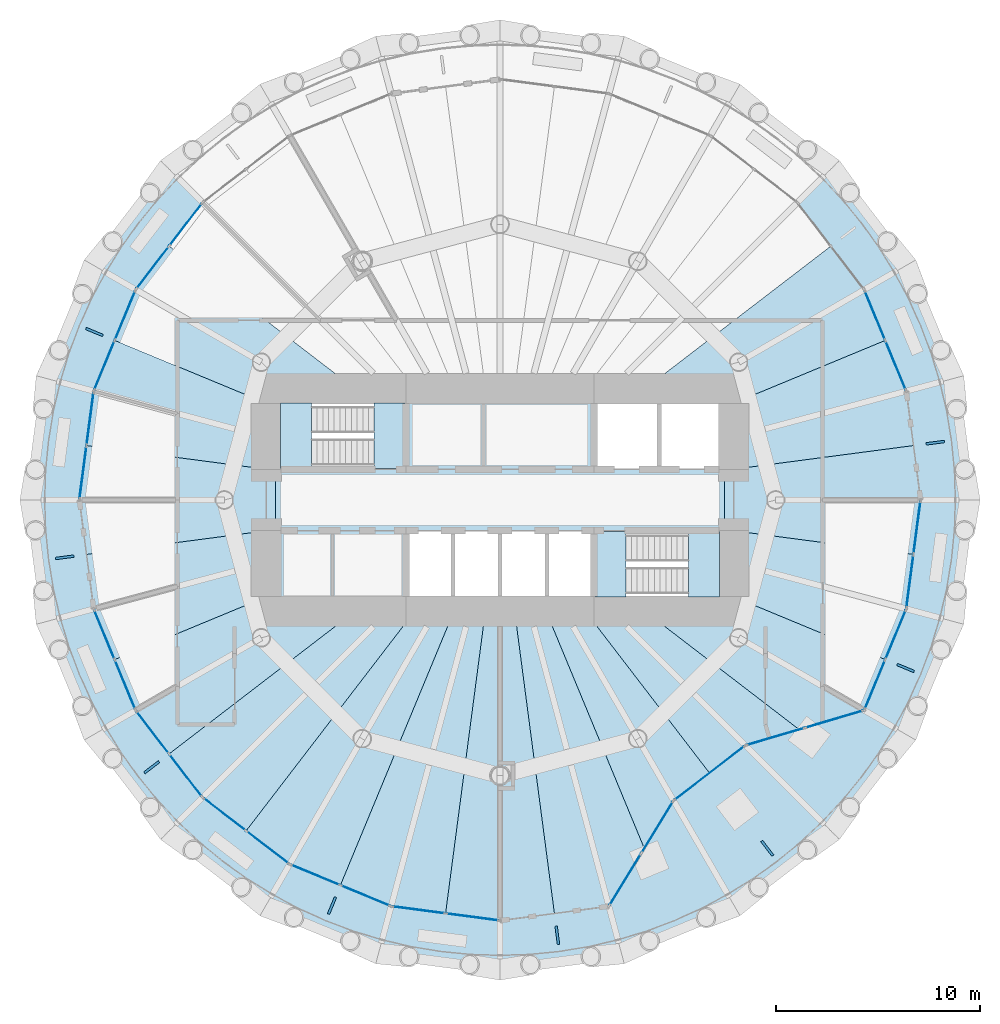
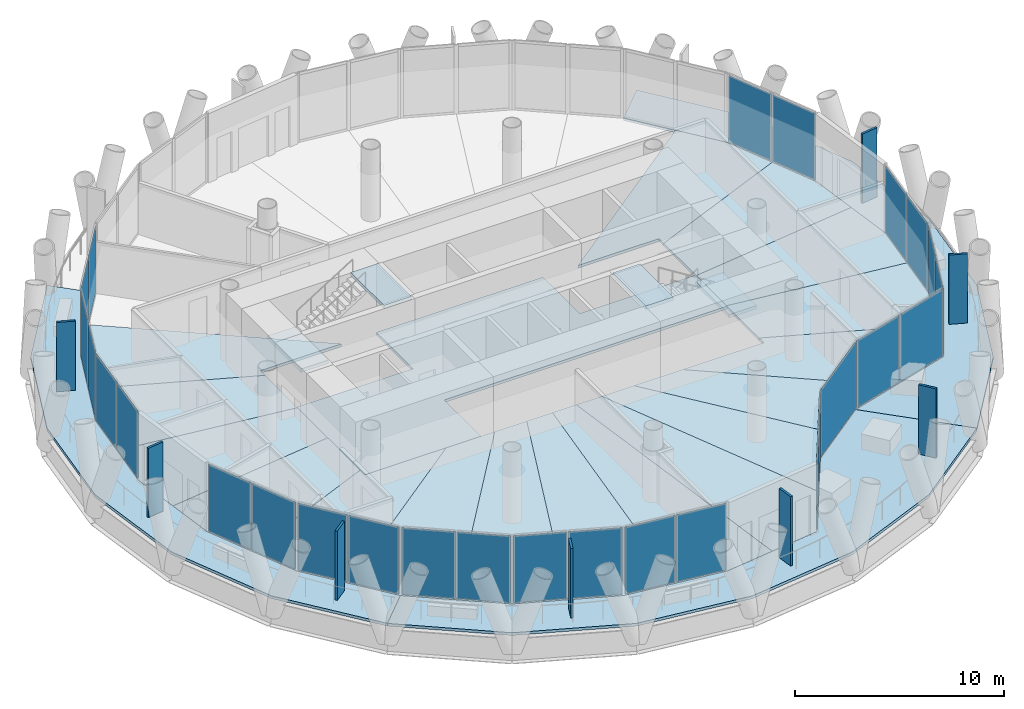
# One storey, part 7 of 14: 35 plates, 25 slabs, 16 elements without a shape of their own.
"""IFC4 building model written with IfcOpenShell, lengths in metres."""

from ifc_helpers import new_model, si_unit, direction, frame, origin, origin_2d, place, context, subcontext, project, spatial, polyline, rectangle, outline, extrude, material, layer, layer_set, type_object, element, aggregate, save


model = new_model("IFC4")

# Units and contexts
model_context = context("Model", 3, precision=1e-05, world=origin(), true_north=direction((0.0, 1.0)))
body_context = subcontext(model_context, "Body", "Model", "MODEL_VIEW")
ifc_project = project(units=[si_unit("LENGTHUNIT", "METRE"), si_unit("AREAUNIT", "SQUARE_METRE"), si_unit("VOLUMEUNIT", "CUBIC_METRE"), si_unit("PLANEANGLEUNIT", "RADIAN"), si_unit("MASSUNIT", "GRAM", prefix="KILO")], contexts=[model_context])

# Site, building, storey
site_placement = place(None, origin())
site = spatial("IfcSite", under=ifc_project, at=site_placement, CompositionType="ELEMENT")
building_placement = place(site_placement, origin())
building = spatial("IfcBuilding", under=site, at=building_placement, Name="Qaws Media Tower", CompositionType="ELEMENT")
storey_placement = place(building_placement, frame((0.0, 0.0, 210.800048828125)))
storey = spatial("IfcBuildingStorey", under=building, at=storey_placement, Name="L48", CompositionType="ELEMENT", Elevation=210.800048828125)

# Slabs
ifc_material_1 = material(Name="Concrete C35/45", Category="concrete")
ifc_layer_1 = layer(ifc_material_1, 0.159912109375)
ifc_layer_set_1 = layer_set([ifc_layer_1], Name="Composite balcony slab 160")
slab_type_1 = type_object("IfcSlabType", Name="Composite balcony slab 160", PredefinedType="FLOOR", material=ifc_layer_set_1)
slab_1_placement = place(storey_placement, frame((0.0, 0.0, -0.16015625)))
element("IfcSlab", 1, at=slab_1_placement, inside=storey, type_object=slab_type_1, Name="S2 balcony slab L48 R10 to R16, movement joints on R10 and R16", PredefinedType="FLOOR", context=body_context, shape_type="SweptSolid", body=[
    extrude(outline(polyline([(40.081298828125, 38.5), (37.78369140625, 44.047119140625), (37.0, 50.0), (37.78369140625, 55.952880859375), (40.081298828125, 61.5), (43.736572265625, 66.263427734375), (45.43359375, 64.56640625), (42.159912109375, 60.300048828125), (40.101806640625, 55.331787109375), (39.39990234375, 50.0), (40.101806640625, 44.668212890625), (42.159912109375, 39.699951171875), (45.43359375, 35.43359375), (43.736572265625, 33.736572265625), (40.081298828125, 38.5)])), origin(), (0.0, 0.0, 1.0), 0.16015625),
])
slab_2_placement = place(storey_placement, frame((0.0, 0.0, -0.16015625)))
element("IfcSlab", 2, at=slab_2_placement, inside=storey, type_object=slab_type_1, Name="S2 balcony slab L48 R16 to R22, movement joints on R16 and R22", PredefinedType="FLOOR", context=body_context, shape_type="SweptSolid", body=[
    extrude(outline(polyline([(71.5, 30.081298828125), (65.952880859375, 27.78369140625), (60.0, 27.0), (54.047119140625, 27.78369140625), (48.5, 30.081298828125), (43.736572265625, 33.736572265625), (45.43359375, 35.43359375), (49.699951171875, 32.159912109375), (54.668212890625, 30.101806640625), (60.0, 29.39990234375), (65.331787109375, 30.101806640625), (68.5, 35.277587890625), (72.020751953125, 37.979248046875), (76.263427734375, 33.736572265625), (71.5, 30.081298828125)])), origin(), (0.0, 0.0, 1.0), 0.16015625),
])
slab_3_placement = place(storey_placement, frame((0.0, 0.0, -0.16015625)))
element("IfcSlab", 3, at=slab_3_placement, inside=storey, type_object=slab_type_1, Name="S2 balcony slab L48 R22 to R04, movement joints on R22 and R04", PredefinedType="FLOOR", context=body_context, shape_type="SweptSolid", body=[
    extrude(outline(polyline([(79.918701171875, 38.5), (76.263427734375, 33.736572265625), (72.020751953125, 37.979248046875), (77.840087890625, 39.699951171875), (79.898193359375, 44.668212890625), (80.60009765625, 50.0), (79.898193359375, 55.331787109375), (77.840087890625, 60.300048828125), (74.56640625, 64.56640625), (76.263427734375, 66.263427734375), (79.918701171875, 61.5), (82.21630859375, 55.952880859375), (83.0, 50.0), (82.21630859375, 44.047119140625), (79.918701171875, 38.5)])), origin(), (0.0, 0.0, 1.0), 0.16015625),
])
ifc_material_2 = material(Name="Concrete C35/45", Category="concrete")
ifc_layer_2 = layer(ifc_material_2, 0.159912109375)
ifc_layer_set_2 = layer_set([ifc_layer_2], Name="Composite floor slab 160")
slab_type_2 = type_object("IfcSlabType", Name="Composite floor slab 160", PredefinedType="FLOOR", material=ifc_layer_set_2)
slab_4_placement = place(storey_placement, frame((0.0, 0.0, -0.16015625)))
element("IfcSlab", 4, at=slab_4_placement, inside=storey, type_object=slab_type_2, Name="S1 core floor slab L48", PredefinedType="FLOOR", context=body_context, shape_type="SweptSolid", body=[
    extrude(outline(polyline([(71.0, 51.5), (71.0, 48.5), (55.39990234375, 48.5), (55.39990234375, 45.0), (49.0, 45.0), (49.0, 51.5), (55.39990234375, 51.5), (55.39990234375, 55.0), (64.60009765625, 55.0), (64.60009765625, 51.5), (71.0, 51.5)])), origin(), (0.0, 0.0, 1.0), 0.16015625),
])
slab_5_placement = place(storey_placement, frame((0.0, 0.0, -0.16015625)))
element("IfcSlab", 5, at=slab_5_placement, inside=storey, type_object=slab_type_2, Name="S1 floor panel L48 on R01", PredefinedType="FLOOR", context=body_context, shape_type="SweptSolid", body=[
    extrude(outline(polyline([(80.60009765625, 50.0), (80.2490234375, 47.334228515625), (71.0, 48.5517578125), (71.0, 51.4482421875), (80.2490234375, 52.665771484375), (80.60009765625, 50.0)])), origin(), (0.0, 0.0, 1.0), 0.16015625),
])
slab_6_placement = place(storey_placement, frame((0.0, 0.0, -0.16015625)))
element("IfcSlab", 6, at=slab_6_placement, inside=storey, type_object=slab_type_2, Name="S1 floor panel L48 on R02", PredefinedType="FLOOR", context=body_context, shape_type="SweptSolid", body=[
    extrude(outline(polyline([(79.898193359375, 55.331787109375), (80.2490234375, 52.665771484375), (71.0, 51.4482421875), (71.0, 54.556396484375), (78.869140625, 57.81591796875), (79.898193359375, 55.331787109375)])), origin(), (0.0, 0.0, 1.0), 0.16015625),
])
slab_7_placement = place(storey_placement, frame((0.0, 0.0, -0.16015625)))
element("IfcSlab", 7, at=slab_7_placement, inside=storey, type_object=slab_type_2, Name="S1 floor panel L48 on R03", PredefinedType="FLOOR", context=body_context, shape_type="SweptSolid", body=[
    extrude(outline(polyline([(77.840087890625, 60.300048828125), (78.869140625, 57.81591796875), (71.0, 54.556396484375), (71.0, 55.0), (66.51611328125, 55.0), (76.203369140625, 62.43310546875), (77.840087890625, 60.300048828125)])), origin(), (0.0, 0.0, 1.0), 0.16015625),
])
slab_8_placement = place(storey_placement, frame((0.0, 0.0, -0.16015625)))
element("IfcSlab", 8, at=slab_8_placement, inside=storey, type_object=slab_type_2, Name="S1 floor panel L48 on R11", PredefinedType="FLOOR", context=body_context, shape_type="SweptSolid", body=[
    extrude(outline(polyline([(42.159912109375, 60.300048828125), (43.796630859375, 62.43310546875), (53.48388671875, 55.0), (49.0, 55.0), (49.0, 54.556396484375), (41.130859375, 57.81591796875), (42.159912109375, 60.300048828125)])), origin(), (0.0, 0.0, 1.0), 0.16015625),
])
slab_9_placement = place(storey_placement, frame((0.0, 0.0, -0.16015625)))
element("IfcSlab", 9, at=slab_9_placement, inside=storey, type_object=slab_type_2, Name="S1 floor panel L48 on R12", PredefinedType="FLOOR", context=body_context, shape_type="SweptSolid", body=[
    extrude(outline(polyline([(40.101806640625, 55.331787109375), (41.130859375, 57.81591796875), (49.0, 54.556396484375), (49.0, 51.4482421875), (39.7509765625, 52.665771484375), (40.101806640625, 55.331787109375)])), origin(), (0.0, 0.0, 1.0), 0.16015625),
])
slab_10_placement = place(storey_placement, frame((0.0, 0.0, -0.16015625)))
element("IfcSlab", 10, at=slab_10_placement, inside=storey, type_object=slab_type_2, Name="S1 floor panel L48 on R13", PredefinedType="FLOOR", context=body_context, shape_type="SweptSolid", body=[
    extrude(outline(polyline([(39.39990234375, 50.0), (39.7509765625, 52.665771484375), (49.0, 51.4482421875), (49.0, 48.5517578125), (39.7509765625, 47.334228515625), (39.39990234375, 50.0)])), origin(), (0.0, 0.0, 1.0), 0.16015625),
])
slab_11_placement = place(storey_placement, frame((0.0, 0.0, -0.16015625)))
element("IfcSlab", 11, at=slab_11_placement, inside=storey, type_object=slab_type_2, Name="S1 floor panel L48 on R14", PredefinedType="FLOOR", context=body_context, shape_type="SweptSolid", body=[
    extrude(outline(polyline([(40.101806640625, 44.668212890625), (39.7509765625, 47.334228515625), (49.0, 48.5517578125), (49.0, 45.443603515625), (41.130859375, 42.18408203125), (40.101806640625, 44.668212890625)])), origin(), (0.0, 0.0, 1.0), 0.16015625),
])
slab_12_placement = place(storey_placement, frame((0.0, 0.0, -0.16015625)))
element("IfcSlab", 12, at=slab_12_placement, inside=storey, type_object=slab_type_2, Name="S1 floor panel L48 on R15", PredefinedType="FLOOR", context=body_context, shape_type="SweptSolid", body=[
    extrude(outline(polyline([(42.159912109375, 39.699951171875), (41.130859375, 42.18408203125), (49.0, 45.443603515625), (49.0, 45.0), (53.48388671875, 45.0), (43.796630859375, 37.56689453125), (42.159912109375, 39.699951171875)])), origin(), (0.0, 0.0, 1.0), 0.16015625),
])
slab_13_placement = place(storey_placement, frame((0.0, 0.0, -0.16015625)))
element("IfcSlab", 13, at=slab_13_placement, inside=storey, type_object=slab_type_2, Name="S1 floor panel L48 on R16", PredefinedType="FLOOR", context=body_context, shape_type="SweptSolid", body=[
    extrude(outline(polyline([(45.43359375, 35.43359375), (43.796630859375, 37.56689453125), (53.48388671875, 45.0), (56.163330078125, 45.0), (47.56689453125, 33.796630859375), (45.43359375, 35.43359375)])), origin(), (0.0, 0.0, 1.0), 0.16015625),
])
slab_14_placement = place(storey_placement, frame((0.0, 0.0, -0.16015625)))
element("IfcSlab", 14, at=slab_14_placement, inside=storey, type_object=slab_type_2, Name="S1 floor panel L48 on R17", PredefinedType="FLOOR", context=body_context, shape_type="SweptSolid", body=[
    extrude(outline(polyline([(49.699951171875, 32.159912109375), (47.56689453125, 33.796630859375), (56.163330078125, 45.0), (57.928955078125, 45.0), (52.18408203125, 31.130859375), (49.699951171875, 32.159912109375)])), origin(), (0.0, 0.0, 1.0), 0.16015625),
])
slab_15_placement = place(storey_placement, frame((0.0, 0.0, -0.16015625)))
element("IfcSlab", 15, at=slab_15_placement, inside=storey, type_object=slab_type_2, Name="S1 floor panel L48 on R18", PredefinedType="FLOOR", context=body_context, shape_type="SweptSolid", body=[
    extrude(outline(polyline([(54.668212890625, 30.101806640625), (52.18408203125, 31.130859375), (57.928955078125, 45.0), (59.341796875, 45.0), (57.334228515625, 29.7509765625), (54.668212890625, 30.101806640625)])), origin(), (0.0, 0.0, 1.0), 0.16015625),
])
slab_16_placement = place(storey_placement, frame((0.0, 0.0, -0.16015625)))
element("IfcSlab", 16, at=slab_16_placement, inside=storey, type_object=slab_type_2, Name="S1 floor panel L48 on R19", PredefinedType="FLOOR", context=body_context, shape_type="SweptSolid", body=[
    extrude(outline(polyline([(60.0, 29.39990234375), (57.334228515625, 29.7509765625), (59.341796875, 45.0), (60.658203125, 45.0), (62.665771484375, 29.7509765625), (60.0, 29.39990234375)])), origin(), (0.0, 0.0, 1.0), 0.16015625),
])
slab_17_placement = place(storey_placement, frame((0.0, 0.0, -0.16015625)))
element("IfcSlab", 17, at=slab_17_placement, inside=storey, type_object=slab_type_2, Name="S1 floor panel L48 on R20", PredefinedType="FLOOR", context=body_context, shape_type="SweptSolid", body=[
    extrude(outline(polyline([(65.331787109375, 30.101806640625), (62.665771484375, 29.7509765625), (60.658203125, 45.0), (62.071044921875, 45.0), (67.0673828125, 32.9375), (65.331787109375, 30.101806640625)])), origin(), (0.0, 0.0, 1.0), 0.16015625),
])
slab_18_placement = place(storey_placement, frame((0.0, 0.0, -0.16015625)))
element("IfcSlab", 18, at=slab_18_placement, inside=storey, type_object=slab_type_2, Name="S1 floor panel L48 on R21", PredefinedType="FLOOR", context=body_context, shape_type="SweptSolid", body=[
    extrude(outline(polyline([(68.5, 35.277587890625), (67.0673828125, 32.9375), (62.071044921875, 45.0), (63.836669921875, 45.0), (70.260498046875, 36.62841796875), (68.5, 35.277587890625)])), origin(), (0.0, 0.0, 1.0), 0.16015625),
])
slab_19_placement = place(storey_placement, frame((0.0, 0.0, -0.16015625)))
element("IfcSlab", 19, at=slab_19_placement, inside=storey, type_object=slab_type_2, Name="S1 floor panel L48 on R22", PredefinedType="FLOOR", context=body_context, shape_type="SweptSolid", body=[
    extrude(outline(polyline([(72.020751953125, 37.979248046875), (70.260498046875, 36.62841796875), (63.836669921875, 45.0), (66.51611328125, 45.0), (74.65185546875, 38.757080078125), (72.020751953125, 37.979248046875)])), origin(), (0.0, 0.0, 1.0), 0.16015625),
])
slab_20_placement = place(storey_placement, frame((0.0, 0.0, -0.16015625)))
element("IfcSlab", 20, at=slab_20_placement, inside=storey, type_object=slab_type_2, Name="S1 floor panel L48 on R23", PredefinedType="FLOOR", context=body_context, shape_type="SweptSolid", body=[
    extrude(outline(polyline([(77.840087890625, 39.699951171875), (74.65185546875, 38.757080078125), (66.51611328125, 45.0), (71.0, 45.0), (71.0, 45.443603515625), (78.869140625, 42.18408203125), (77.840087890625, 39.699951171875)])), origin(), (0.0, 0.0, 1.0), 0.16015625),
])
slab_21_placement = place(storey_placement, frame((0.0, 0.0, -0.16015625)))
element("IfcSlab", 21, at=slab_21_placement, inside=storey, type_object=slab_type_2, Name="S1 floor panel L48 on R24", PredefinedType="FLOOR", context=body_context, shape_type="SweptSolid", body=[
    extrude(outline(polyline([(78.869140625, 42.18408203125), (71.0, 45.443603515625), (71.0, 48.5517578125), (80.2490234375, 47.334228515625), (79.898193359375, 44.668212890625), (78.869140625, 42.18408203125)])), origin(), (0.0, 0.0, 1.0), 0.16015625),
])

# Curtain wall, plates
ifc_material_3 = material(Name="Aluminium and clear glass", Category="aluminium")
curtain_wall_type_1 = type_object("IfcCurtainWallType", Name="Unitised curtain wall CW-C", PredefinedType="NOTDEFINED", material=ifc_material_3)
curtain_wall_1_placement = place(storey_placement, origin())
curtain_wall_1 = element("IfcCurtainWall", 22, at=curtain_wall_1_placement, inside=storey, type_object=curtain_wall_type_1, Name="CWC curtain wall L48-02", PredefinedType="NOTDEFINED")
ifc_material_4 = material(Name="Clear laminated double glazing", Category="glass")
ifc_layer_3 = layer(ifc_material_4, 0.031982421875)
ifc_layer_set_3 = layer_set([ifc_layer_3], Name="Curtain wall glass unit 32")
plate_type_1 = type_object("IfcPlateType", Name="Curtain wall glass unit 32", PredefinedType="CURTAIN_PANEL", material=ifc_layer_set_3)
plate_1_placement = place(storey_placement, frame((79.3759765625, 56.59228515625, 0.080078125), z_axis=(0.0, 0.0, 1.0), x_axis=(-0.382683457778, 0.923879521985, 0.0)))
plate_1 = element("IfcPlate", 23, at=plate_1_placement, type_object=plate_type_1, Name="CWC panel 1.1", PredefinedType="CURTAIN_PANEL", context=body_context, shape_type="SweptSolid", body=[
    extrude(rectangle(XDim=2.56884765625, YDim=0.031982421875, at=origin_2d()), origin(), (0.0, 0.0, 1.0), 3.8798828125),
])
plate_2_placement = place(storey_placement, frame((78.3623046875, 59.03955078125, 0.080078125), z_axis=(0.0, 0.0, 1.0), x_axis=(-0.382683457778, 0.923879521985, 0.0)))
plate_2 = element("IfcPlate", 24, at=plate_2_placement, type_object=plate_type_1, Name="CWC panel 2.1", PredefinedType="CURTAIN_PANEL", context=body_context, shape_type="SweptSolid", body=[
    extrude(rectangle(XDim=2.56884765625, YDim=0.031982421875, at=origin_2d()), origin(), (0.0, 0.0, 1.0), 3.8798828125),
])
aggregate(curtain_wall_1, [plate_1, plate_2])

curtain_wall_2_placement = place(storey_placement, origin())
curtain_wall_2 = element("IfcCurtainWall", 25, at=curtain_wall_2_placement, inside=storey, type_object=curtain_wall_type_1, Name="CWC curtain wall L48-10", PredefinedType="NOTDEFINED")
plate_3_placement = place(storey_placement, frame((44.60302734375, 63.48388671875, 0.080078125), z_axis=(0.0, 0.0, 1.0), x_axis=(-0.608761328178, -0.793353417662, 0.0)))
plate_3 = element("IfcPlate", 26, at=plate_3_placement, type_object=plate_type_1, Name="CWC panel 1.1", PredefinedType="CURTAIN_PANEL", context=body_context, shape_type="SweptSolid", body=[
    extrude(rectangle(XDim=2.56884765625, YDim=0.031982421875, at=origin_2d()), origin(), (0.0, 0.0, 1.0), 3.8798828125),
])
plate_4_placement = place(storey_placement, frame((42.990478515625, 61.382568359375, 0.080078125), z_axis=(0.0, 0.0, 1.0), x_axis=(-0.608761328178, -0.793353417662, 0.0)))
plate_4 = element("IfcPlate", 27, at=plate_4_placement, type_object=plate_type_1, Name="CWC panel 2.1", PredefinedType="CURTAIN_PANEL", context=body_context, shape_type="SweptSolid", body=[
    extrude(rectangle(XDim=2.56884765625, YDim=0.031982421875, at=origin_2d()), origin(), (0.0, 0.0, 1.0), 3.8798828125),
])
aggregate(curtain_wall_2, [plate_3, plate_4])

curtain_wall_3_placement = place(storey_placement, origin())
curtain_wall_3 = element("IfcCurtainWall", 28, at=curtain_wall_3_placement, inside=storey, type_object=curtain_wall_type_1, Name="CWC curtain wall L48-11", PredefinedType="NOTDEFINED")
plate_5_placement = place(storey_placement, frame((41.6376953125, 59.03955078125, 0.080078125), z_axis=(0.0, 0.0, 1.0), x_axis=(-0.382683457778, -0.923879521985, 0.0)))
plate_5 = element("IfcPlate", 29, at=plate_5_placement, type_object=plate_type_1, Name="CWC panel 1.1", PredefinedType="CURTAIN_PANEL", context=body_context, shape_type="SweptSolid", body=[
    extrude(rectangle(XDim=2.56884765625, YDim=0.031982421875, at=origin_2d()), origin(), (0.0, 0.0, 1.0), 3.8798828125),
])
plate_6_placement = place(storey_placement, frame((40.6240234375, 56.59228515625, 0.080078125), z_axis=(0.0, 0.0, 1.0), x_axis=(-0.382683457778, -0.923879521985, 0.0)))
plate_6 = element("IfcPlate", 30, at=plate_6_placement, type_object=plate_type_1, Name="CWC panel 2.1", PredefinedType="CURTAIN_PANEL", context=body_context, shape_type="SweptSolid", body=[
    extrude(rectangle(XDim=2.56884765625, YDim=0.031982421875, at=origin_2d()), origin(), (0.0, 0.0, 1.0), 3.8798828125),
])
aggregate(curtain_wall_3, [plate_5, plate_6])

curtain_wall_4_placement = place(storey_placement, origin())
curtain_wall_4 = element("IfcCurtainWall", 31, at=curtain_wall_4_placement, inside=storey, type_object=curtain_wall_type_1, Name="CWC curtain wall L48-12", PredefinedType="NOTDEFINED")
plate_7_placement = place(storey_placement, frame((39.923828125, 53.97900390625, 0.080078125), z_axis=(0.0, 0.0, 1.0), x_axis=(-0.130526204073, -0.991444859813, 0.0)))
plate_7 = element("IfcPlate", 32, at=plate_7_placement, type_object=plate_type_1, Name="CWC panel 1.1", PredefinedType="CURTAIN_PANEL", context=body_context, shape_type="SweptSolid", body=[
    extrude(rectangle(XDim=2.56884765625, YDim=0.031982421875, at=origin_2d()), origin(), (0.0, 0.0, 1.0), 3.8798828125),
])
plate_8_placement = place(storey_placement, frame((39.578125, 51.352783203125, 0.080078125), z_axis=(0.0, 0.0, 1.0), x_axis=(-0.130526204073, -0.991444859813, 0.0)))
plate_8 = element("IfcPlate", 33, at=plate_8_placement, type_object=plate_type_1, Name="CWC panel 2.1", PredefinedType="CURTAIN_PANEL", context=body_context, shape_type="SweptSolid", body=[
    extrude(rectangle(XDim=2.56884765625, YDim=0.031982421875, at=origin_2d()), origin(), (0.0, 0.0, 1.0), 3.8798828125),
])
aggregate(curtain_wall_4, [plate_7, plate_8])

curtain_wall_5_placement = place(storey_placement, origin())
curtain_wall_5 = element("IfcCurtainWall", 34, at=curtain_wall_5_placement, inside=storey, type_object=curtain_wall_type_1, Name="CWC curtain wall L48-14", PredefinedType="NOTDEFINED")
plate_9_placement = place(storey_placement, frame((40.6240234375, 43.40771484375, 0.080078125), z_axis=(0.0, 0.0, 1.0), x_axis=(0.382683457778, -0.923879521985, 0.0)))
plate_9 = element("IfcPlate", 35, at=plate_9_placement, type_object=plate_type_1, Name="CWC panel 1.1", PredefinedType="CURTAIN_PANEL", context=body_context, shape_type="SweptSolid", body=[
    extrude(rectangle(XDim=2.56884765625, YDim=0.031982421875, at=origin_2d()), origin(), (0.0, 0.0, 1.0), 3.8798828125),
])
plate_10_placement = place(storey_placement, frame((41.6376953125, 40.96044921875, 0.080078125), z_axis=(0.0, 0.0, 1.0), x_axis=(0.382683457778, -0.923879521985, 0.0)))
plate_10 = element("IfcPlate", 36, at=plate_10_placement, type_object=plate_type_1, Name="CWC panel 2.1", PredefinedType="CURTAIN_PANEL", context=body_context, shape_type="SweptSolid", body=[
    extrude(rectangle(XDim=2.56884765625, YDim=0.031982421875, at=origin_2d()), origin(), (0.0, 0.0, 1.0), 3.8798828125),
])
aggregate(curtain_wall_5, [plate_9, plate_10])

curtain_wall_6_placement = place(storey_placement, origin())
curtain_wall_6 = element("IfcCurtainWall", 37, at=curtain_wall_6_placement, inside=storey, type_object=curtain_wall_type_1, Name="CWC curtain wall L48-15", PredefinedType="NOTDEFINED")
plate_11_placement = place(storey_placement, frame((42.990478515625, 38.617431640625, 0.080078125), z_axis=(0.0, 0.0, 1.0), x_axis=(0.608761328178, -0.793353417662, 0.0)))
plate_11 = element("IfcPlate", 38, at=plate_11_placement, type_object=plate_type_1, Name="CWC panel 1.1", PredefinedType="CURTAIN_PANEL", context=body_context, shape_type="SweptSolid", body=[
    extrude(rectangle(XDim=2.56884765625, YDim=0.031982421875, at=origin_2d()), origin(), (0.0, 0.0, 1.0), 3.8798828125),
])
plate_12_placement = place(storey_placement, frame((44.60302734375, 36.51611328125, 0.080078125), z_axis=(0.0, 0.0, 1.0), x_axis=(0.608761328178, -0.793353417662, 0.0)))
plate_12 = element("IfcPlate", 39, at=plate_12_placement, type_object=plate_type_1, Name="CWC panel 2.1", PredefinedType="CURTAIN_PANEL", context=body_context, shape_type="SweptSolid", body=[
    extrude(rectangle(XDim=2.56884765625, YDim=0.031982421875, at=origin_2d()), origin(), (0.0, 0.0, 1.0), 3.8798828125),
])
aggregate(curtain_wall_6, [plate_11, plate_12])

curtain_wall_7_placement = place(storey_placement, origin())
curtain_wall_7 = element("IfcCurtainWall", 40, at=curtain_wall_7_placement, inside=storey, type_object=curtain_wall_type_1, Name="CWC curtain wall L48-16", PredefinedType="NOTDEFINED")
plate_13_placement = place(storey_placement, frame((46.51611328125, 34.60302734375, 0.080078125), z_axis=(0.0, 0.0, 1.0), x_axis=(0.793353417662, -0.608761328178, 0.0)))
plate_13 = element("IfcPlate", 41, at=plate_13_placement, type_object=plate_type_1, Name="CWC panel 1.1", PredefinedType="CURTAIN_PANEL", context=body_context, shape_type="SweptSolid", body=[
    extrude(rectangle(XDim=2.56884765625, YDim=0.031982421875, at=origin_2d()), origin(), (0.0, 0.0, 1.0), 3.8798828125),
])
plate_14_placement = place(storey_placement, frame((48.617431640625, 32.990478515625, 0.080078125), z_axis=(0.0, 0.0, 1.0), x_axis=(0.793353417662, -0.608761328178, 0.0)))
plate_14 = element("IfcPlate", 42, at=plate_14_placement, type_object=plate_type_1, Name="CWC panel 2.1", PredefinedType="CURTAIN_PANEL", context=body_context, shape_type="SweptSolid", body=[
    extrude(rectangle(XDim=2.56884765625, YDim=0.031982421875, at=origin_2d()), origin(), (0.0, 0.0, 1.0), 3.8798828125),
])
aggregate(curtain_wall_7, [plate_13, plate_14])

curtain_wall_8_placement = place(storey_placement, origin())
curtain_wall_8 = element("IfcCurtainWall", 43, at=curtain_wall_8_placement, inside=storey, type_object=curtain_wall_type_1, Name="CWC curtain wall L48-17", PredefinedType="NOTDEFINED")
plate_15_placement = place(storey_placement, frame((50.96044921875, 31.6376953125, 0.080078125), z_axis=(0.0, 0.0, 1.0), x_axis=(0.923879521985, -0.382683457778, 0.0)))
plate_15 = element("IfcPlate", 44, at=plate_15_placement, type_object=plate_type_1, Name="CWC panel 1.1", PredefinedType="CURTAIN_PANEL", context=body_context, shape_type="SweptSolid", body=[
    extrude(rectangle(XDim=2.56884765625, YDim=0.031982421875, at=origin_2d()), origin(), (0.0, 0.0, 1.0), 3.8798828125),
])
plate_16_placement = place(storey_placement, frame((53.40771484375, 30.6240234375, 0.080078125), z_axis=(0.0, 0.0, 1.0), x_axis=(0.923879521985, -0.382683457778, 0.0)))
plate_16 = element("IfcPlate", 45, at=plate_16_placement, type_object=plate_type_1, Name="CWC panel 2.1", PredefinedType="CURTAIN_PANEL", context=body_context, shape_type="SweptSolid", body=[
    extrude(rectangle(XDim=2.56884765625, YDim=0.031982421875, at=origin_2d()), origin(), (0.0, 0.0, 1.0), 3.8798828125),
])
aggregate(curtain_wall_8, [plate_15, plate_16])

curtain_wall_9_placement = place(storey_placement, origin())
curtain_wall_9 = element("IfcCurtainWall", 46, at=curtain_wall_9_placement, inside=storey, type_object=curtain_wall_type_1, Name="CWC curtain wall L48-18", PredefinedType="NOTDEFINED")
plate_17_placement = place(storey_placement, frame((56.02099609375, 29.923828125, 0.080078125), z_axis=(0.0, 0.0, 1.0), x_axis=(0.991444859813, -0.130526204073, 0.0)))
plate_17 = element("IfcPlate", 47, at=plate_17_placement, type_object=plate_type_1, Name="CWC panel 1.1", PredefinedType="CURTAIN_PANEL", context=body_context, shape_type="SweptSolid", body=[
    extrude(rectangle(XDim=2.56884765625, YDim=0.031982421875, at=origin_2d()), origin(), (0.0, 0.0, 1.0), 3.8798828125),
])
plate_18_placement = place(storey_placement, frame((58.647216796875, 29.578125, 0.080078125), z_axis=(0.0, 0.0, 1.0), x_axis=(0.991444859813, -0.130526204073, 0.0)))
plate_18 = element("IfcPlate", 48, at=plate_18_placement, type_object=plate_type_1, Name="CWC panel 2.1", PredefinedType="CURTAIN_PANEL", context=body_context, shape_type="SweptSolid", body=[
    extrude(rectangle(XDim=2.56884765625, YDim=0.031982421875, at=origin_2d()), origin(), (0.0, 0.0, 1.0), 3.8798828125),
])
aggregate(curtain_wall_9, [plate_17, plate_18])

ifc_material_5 = material(Name="Aluminium and clear glass", Category="aluminium")
curtain_wall_type_2 = type_object("IfcCurtainWallType", Name="Loggia curtain wall CW-G", PredefinedType="NOTDEFINED", material=ifc_material_5)
curtain_wall_10_placement = place(storey_placement, origin())
curtain_wall_10 = element("IfcCurtainWall", 49, at=curtain_wall_10_placement, inside=storey, type_object=curtain_wall_type_2, Name="CWG curtain wall L48-20", PredefinedType="NOTDEFINED")
plate_19_placement = place(storey_placement, frame((66.13427734375, 31.412841796875, 0.080078125), z_axis=(0.0, 0.0, 1.0), x_axis=(0.52210217727, 0.85288294419, 0.0)))
plate_19 = element("IfcPlate", 50, at=plate_19_placement, type_object=plate_type_1, Name="CWG panel 1.1", PredefinedType="CURTAIN_PANEL", context=body_context, shape_type="SweptSolid", body=[
    extrude(rectangle(XDim=2.914306640625, YDim=0.031982421875, at=origin_2d()), origin(), (0.0, 0.0, 1.0), 3.8798828125),
])
plate_20_placement = place(storey_placement, frame((67.697509765625, 33.966552734375, 0.080078125), z_axis=(0.0, 0.0, 1.0), x_axis=(0.52210217727, 0.85288294419, 0.0)))
plate_20 = element("IfcPlate", 51, at=plate_20_placement, type_object=plate_type_1, Name="CWG panel 2.1", PredefinedType="CURTAIN_PANEL", context=body_context, shape_type="SweptSolid", body=[
    extrude(rectangle(XDim=2.914306640625, YDim=0.031982421875, at=origin_2d()), origin(), (0.0, 0.0, 1.0), 3.8798828125),
])
aggregate(curtain_wall_10, [plate_19, plate_20])

# Curtain wall, plate
curtain_wall_11_placement = place(storey_placement, origin())
curtain_wall_11 = element("IfcCurtainWall", 52, at=curtain_wall_11_placement, inside=storey, type_object=curtain_wall_type_2, Name="CWG curtain wall L48-21", PredefinedType="NOTDEFINED")
plate_21_placement = place(storey_placement, frame((70.260498046875, 36.62841796875, 0.080078125), z_axis=(0.0, 0.0, 1.0), x_axis=(0.793353271644, 0.608761518472, 0.0)))
plate_21 = element("IfcPlate", 53, at=plate_21_placement, type_object=plate_type_1, Name="CWG panel 1.1", PredefinedType="CURTAIN_PANEL", context=body_context, shape_type="SweptSolid", body=[
    extrude(rectangle(XDim=4.27783203125, YDim=0.031982421875, at=origin_2d()), origin(), (0.0, 0.0, 1.0), 3.8798828125),
])
aggregate(curtain_wall_11, [plate_21])

# Curtain wall, plates
curtain_wall_12_placement = place(storey_placement, origin())
curtain_wall_12 = element("IfcCurtainWall", 54, at=curtain_wall_12_placement, inside=storey, type_object=curtain_wall_type_2, Name="CWG curtain wall L48-22", PredefinedType="NOTDEFINED")
plate_22_placement = place(storey_placement, frame((73.494873046875, 38.4150390625, 0.080078125), z_axis=(0.0, 0.0, 1.0), x_axis=(0.958951678564, 0.283569529709, 0.0)))
plate_22 = element("IfcPlate", 55, at=plate_22_placement, type_object=plate_type_1, Name="CWG panel 1.1", PredefinedType="CURTAIN_PANEL", context=body_context, shape_type="SweptSolid", body=[
    extrude(rectangle(XDim=2.914306640625, YDim=0.031982421875, at=origin_2d()), origin(), (0.0, 0.0, 1.0), 3.8798828125),
])
plate_23_placement = place(storey_placement, frame((76.3662109375, 39.26416015625, 0.080078125), z_axis=(0.0, 0.0, 1.0), x_axis=(0.958951678564, 0.283569529709, 0.0)))
plate_23 = element("IfcPlate", 56, at=plate_23_placement, type_object=plate_type_1, Name="CWG panel 2.1", PredefinedType="CURTAIN_PANEL", context=body_context, shape_type="SweptSolid", body=[
    extrude(rectangle(XDim=2.914306640625, YDim=0.031982421875, at=origin_2d()), origin(), (0.0, 0.0, 1.0), 3.8798828125),
])
aggregate(curtain_wall_12, [plate_22, plate_23])

curtain_wall_13_placement = place(storey_placement, origin())
curtain_wall_13 = element("IfcCurtainWall", 57, at=curtain_wall_13_placement, inside=storey, type_object=curtain_wall_type_1, Name="CWC curtain wall L48-23", PredefinedType="NOTDEFINED")
plate_24_placement = place(storey_placement, frame((78.3623046875, 40.96044921875, 0.080078125), z_axis=(0.0, 0.0, 1.0), x_axis=(0.382683457778, 0.923879521985, 0.0)))
plate_24 = element("IfcPlate", 58, at=plate_24_placement, type_object=plate_type_1, Name="CWC panel 1.1", PredefinedType="CURTAIN_PANEL", context=body_context, shape_type="SweptSolid", body=[
    extrude(rectangle(XDim=2.56884765625, YDim=0.031982421875, at=origin_2d()), origin(), (0.0, 0.0, 1.0), 3.8798828125),
])
plate_25_placement = place(storey_placement, frame((79.3759765625, 43.40771484375, 0.080078125), z_axis=(0.0, 0.0, 1.0), x_axis=(0.382683457778, 0.923879521985, 0.0)))
plate_25 = element("IfcPlate", 59, at=plate_25_placement, type_object=plate_type_1, Name="CWC panel 2.1", PredefinedType="CURTAIN_PANEL", context=body_context, shape_type="SweptSolid", body=[
    extrude(rectangle(XDim=2.56884765625, YDim=0.031982421875, at=origin_2d()), origin(), (0.0, 0.0, 1.0), 3.8798828125),
])
aggregate(curtain_wall_13, [plate_24, plate_25])

curtain_wall_14_placement = place(storey_placement, origin())
curtain_wall_14 = element("IfcCurtainWall", 60, at=curtain_wall_14_placement, inside=storey, type_object=curtain_wall_type_1, Name="CWC curtain wall L48-24", PredefinedType="NOTDEFINED")
plate_26_placement = place(storey_placement, frame((80.076171875, 46.02099609375, 0.080078125), z_axis=(0.0, 0.0, 1.0), x_axis=(0.130526204073, 0.991444859813, 0.0)))
plate_26 = element("IfcPlate", 61, at=plate_26_placement, type_object=plate_type_1, Name="CWC panel 1.1", PredefinedType="CURTAIN_PANEL", context=body_context, shape_type="SweptSolid", body=[
    extrude(rectangle(XDim=2.56884765625, YDim=0.031982421875, at=origin_2d()), origin(), (0.0, 0.0, 1.0), 3.8798828125),
])
plate_27_placement = place(storey_placement, frame((80.421875, 48.647216796875, 0.080078125), z_axis=(0.0, 0.0, 1.0), x_axis=(0.130526204073, 0.991444859813, 0.0)))
plate_27 = element("IfcPlate", 62, at=plate_27_placement, type_object=plate_type_1, Name="CWC panel 2.1", PredefinedType="CURTAIN_PANEL", context=body_context, shape_type="SweptSolid", body=[
    extrude(rectangle(XDim=2.56884765625, YDim=0.031982421875, at=origin_2d()), origin(), (0.0, 0.0, 1.0), 3.8798828125),
])
aggregate(curtain_wall_14, [plate_26, plate_27])

# Plates
ifc_material_6 = material(Name="Precast concrete screen fin", Category="concrete")
ifc_layer_4 = layer(ifc_material_6, 0.1201171875)
ifc_layer_set_4 = layer_set([ifc_layer_4], Name="Screen fin 120x900")
plate_type_2 = type_object("IfcPlateType", Name="Screen fin 120x900", PredefinedType="USERDEFINED", material=ifc_layer_set_4)
for number, where, z_axis, x_axis, name in (
    (63, (81.316162109375, 52.806396484375, 0.0), (0.0, 0.0, 1.0), (0.991444861374, 0.13052619222, 0.0), "SCR1 screen fin L48-01"),
    (64, (40.136474609375, 58.227783203125, 0.0), (0.0, 0.0, 1.0), (-0.923879532511, 0.382683432365, 0.0), "SCR1 screen fin L48-06"),
    (65, (38.683837890625, 47.193603515625, 0.0), (0.0, 0.0, 1.0), (-0.991444861374, -0.13052619222, 0.0), "SCR1 screen fin L48-07"),
    (66, (42.94287109375, 36.91162109375, 0.0), (0.0, 0.0, 1.0), (-0.793353340291, -0.608761429009, 0.0), "SCR1 screen fin L48-08"),
    (67, (51.772216796875, 30.136474609375, 0.0), (0.0, 0.0, 1.0), (-0.382683432365, -0.923879532511, 0.0), "SCR1 screen fin L48-09"),
    (68, (62.806396484375, 28.683837890625, 0.0), (0.0, 0.0, 1.0), (0.13052619222, -0.991444861374, 0.0), "SCR1 screen fin L48-10"),
    (69, (73.08837890625, 32.94287109375, 0.0), (0.0, 0.0, 1.0), (0.608761429009, -0.793353340291, 0.0), "SCR1 screen fin L48-11"),
    (70, (79.863525390625, 41.772216796875, 0.0), (0.0, 0.0, 1.0), (0.923879532511, -0.382683432365, 0.0), "SCR1 screen fin L48-12"),
):
    element("IfcPlate", number, at=place(storey_placement, frame(where, z_axis=z_axis, x_axis=x_axis)), inside=storey, type_object=plate_type_2, Name=name, ObjectType="SCREEN", PredefinedType="USERDEFINED", context=body_context, shape_type="SweptSolid", body=[
        extrude(rectangle(XDim=0.89990234375, YDim=0.1201171875, at=origin_2d()), origin(), (0.0, 0.0, 1.0), 4.0400390625),
    ])

# Stair, slabs
ifc_material_7 = material(Name="Concrete C40/50", Category="concrete")
stair_type = type_object("IfcStairType", Name="Exit stair", PredefinedType="HALF_TURN_STAIR", material=ifc_material_7)
stair_1_placement = place(storey_placement, origin())
stair_1 = element("IfcStair", 71, at=stair_1_placement, inside=storey, type_object=stair_type, Name="S1 exit stair L48", PredefinedType="HALF_TURN_STAIR")
ifc_material_8 = material(Name="Concrete C40/50", Category="concrete")
ifc_layer_5 = layer(ifc_material_8, 0.199951171875)
ifc_layer_set_5 = layer_set([ifc_layer_5], Name="Stair landing 200")
slab_type_3 = type_object("IfcSlabType", Name="Stair landing 200", PredefinedType="LANDING", material=ifc_layer_set_5)
slab_22_placement = place(storey_placement, frame((0.0, 0.0, 1.89990234375)))
slab_22 = element("IfcSlab", 72, at=slab_22_placement, type_object=slab_type_3, Name="S1 landing 1", PredefinedType="LANDING", context=body_context, shape_type="SweptSolid", body=[
    extrude(outline(polyline([(49.25, 51.550048828125), (50.760009765625, 51.550048828125), (50.760009765625, 54.75), (49.25, 54.75), (49.25, 51.550048828125)])), origin(), (0.0, 0.0, 1.0), 0.199951171875),
])
slab_23_placement = place(storey_placement, frame((0.0, 0.0, 4.0)))
slab_23 = element("IfcSlab", 73, at=slab_23_placement, type_object=slab_type_3, Name="S1 landing 2", PredefinedType="LANDING", context=body_context, shape_type="SweptSolid", body=[
    extrude(outline(polyline([(53.840087890625, 51.550048828125), (55.35009765625, 51.550048828125), (55.35009765625, 54.75), (53.840087890625, 54.75), (53.840087890625, 51.550048828125)])), origin(), (0.0, 0.0, 1.0), 0.199951171875),
])
aggregate(stair_1, [slab_22, slab_23])

stair_2_placement = place(storey_placement, origin())
stair_2 = element("IfcStair", 74, at=stair_2_placement, inside=storey, type_object=stair_type, Name="S2 exit stair L48", PredefinedType="HALF_TURN_STAIR")
slab_24_placement = place(storey_placement, frame((0.0, 0.0, 1.89990234375)))
slab_24 = element("IfcSlab", 75, at=slab_24_placement, type_object=slab_type_3, Name="S2 landing 1", PredefinedType="LANDING", context=body_context, shape_type="SweptSolid", body=[
    extrude(outline(polyline([(69.239990234375, 45.25), (70.75, 45.25), (70.75, 48.449951171875), (69.239990234375, 48.449951171875), (69.239990234375, 45.25)])), origin(), (0.0, 0.0, 1.0), 0.199951171875),
])
slab_25_placement = place(storey_placement, frame((0.0, 0.0, 4.0)))
slab_25 = element("IfcSlab", 76, at=slab_25_placement, type_object=slab_type_3, Name="S2 landing 2", PredefinedType="LANDING", context=body_context, shape_type="SweptSolid", body=[
    extrude(outline(polyline([(64.64990234375, 45.25), (66.159912109375, 45.25), (66.159912109375, 48.449951171875), (64.64990234375, 48.449951171875), (64.64990234375, 45.25)])), origin(), (0.0, 0.0, 1.0), 0.199951171875),
])
aggregate(stair_2, [slab_24, slab_25])

save(model, "model.ifc")
